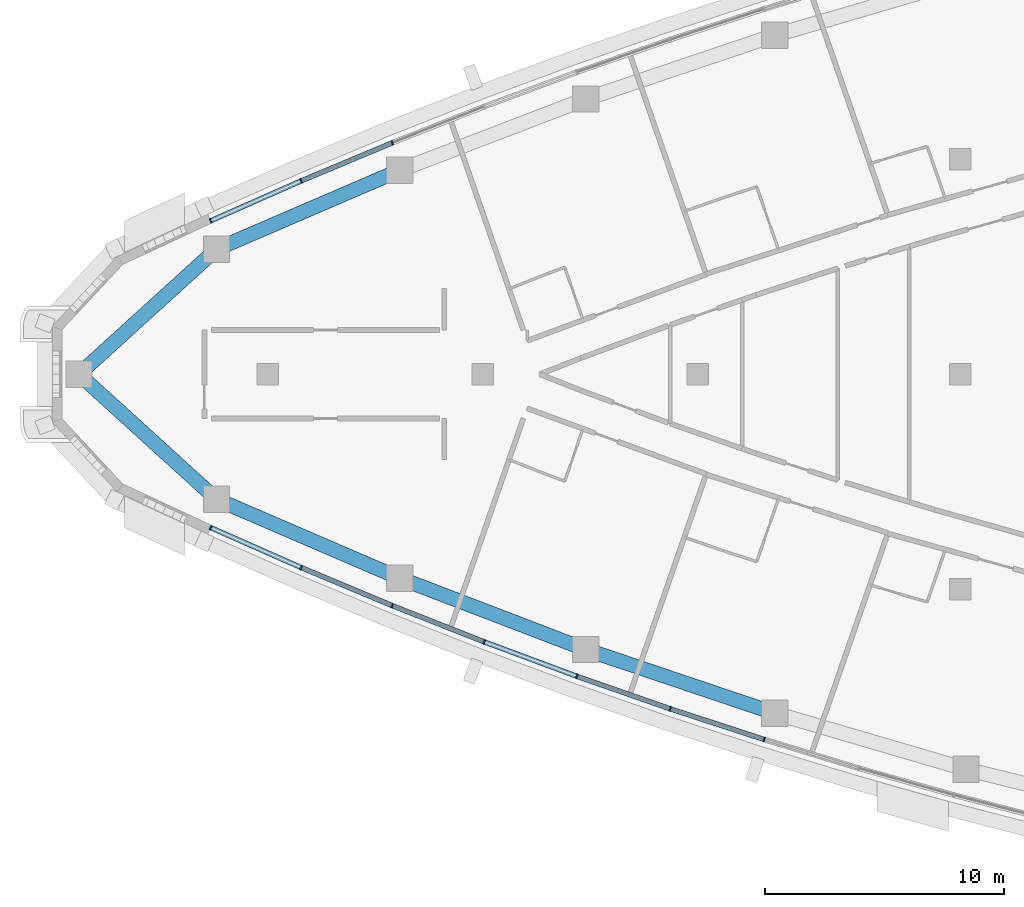
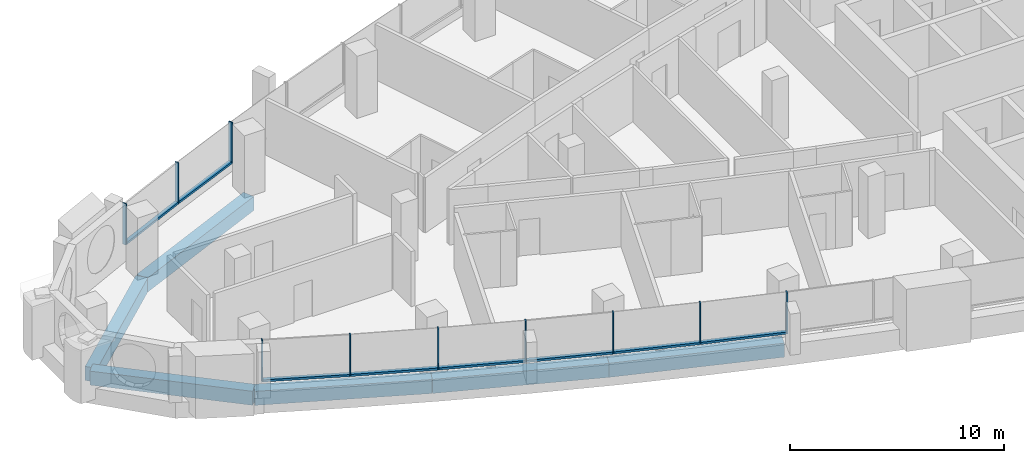
# One storey, part 2 of 14: 18 members, 6 beams, 5 elements without a shape of their own.
"""IFC4 building model written with IfcOpenShell, lengths in metres."""

from ifc_helpers import new_model, si_unit, direction, frame, origin, origin_2d, place, context, subcontext, project, spatial, rectangle, extrude, material, layer, layer_set, material_profile, profile_set, type_object, element, aggregate, save


model = new_model("IFC4")

# Units and contexts
model_context = context("Model", 3, precision=1e-05, world=origin(), true_north=direction((0.0, 1.0)))
body_context = subcontext(model_context, "Body", "Model", "MODEL_VIEW")
ifc_project = project(units=[si_unit("LENGTHUNIT", "METRE"), si_unit("AREAUNIT", "SQUARE_METRE"), si_unit("VOLUMEUNIT", "CUBIC_METRE"), si_unit("PLANEANGLEUNIT", "RADIAN"), si_unit("MASSUNIT", "GRAM", prefix="KILO")], contexts=[model_context])

# Site, building, storey
site_placement = place(None, origin())
site = spatial("IfcSite", under=ifc_project, at=site_placement, CompositionType="ELEMENT")
building_placement = place(site_placement, origin())
building = spatial("IfcBuilding", under=site, at=building_placement, Name="Ostrand Prow Hotel Tower", CompositionType="ELEMENT")
storey_placement = place(building_placement, frame((0.0, 0.0, 299.85009765625)))
storey = spatial("IfcBuildingStorey", under=building, at=storey_placement, Name="L76", CompositionType="ELEMENT", Elevation=299.85009765625)

# Beams
ifc_material_1 = material(Name="Concrete C50/60", Category="concrete")
ifc_material_profile_1 = material_profile(ifc_material_1, rectangle(XDim=0.60009765625, YDim=0.800048828125, at=origin_2d()), Name="RC 600x800")
ifc_profile_set_1 = profile_set([ifc_material_profile_1], Name="Concrete C50/60")
beam_type = type_object("IfcBeamType", Name="Edge beam 600x800 C50/60", PredefinedType="SPANDREL", material=ifc_profile_set_1)
beam_1_placement = place(storey_placement, frame((8.082763671875, 0.0, -0.7001953125), z_axis=(0.740124460758, -0.672469912032, 0.0), x_axis=(0.672469912032, 0.740124460758, 0.0)))
element("IfcBeam", 1, at=beam_1_placement, inside=storey, type_object=beam_type, Name="Edge beam P-S1", PredefinedType="SPANDREL", context=body_context, shape_type="SweptSolid", body=[
    extrude(rectangle(XDim=0.60009765625, YDim=0.800048828125, at=origin_2d()), origin(), (0.0, 0.0, 1.0), 7.787353515625),
])
for number, where, z_axis, x_axis, name in (
    (2, (13.846435546875, -5.23681640625, -0.7001953125), (0.918403788687, -0.39564438695, 0.0), (0.39564438695, 0.918403788687, 0.0), "Edge beam S1-S2"),
    (3, (21.51416015625, -8.5400390625, -0.7001953125), (0.933761753797, -0.357895218111, 0.0), (0.357895218111, 0.933761753797, 0.0), "Edge beam S2-S3"),
    (4, (29.31005859375, -11.528076171875, -0.7001953125), (0.947575089419, -0.319533174981, 0.0), (0.319533174981, 0.947575089419, 0.0), "Edge beam S3-S4"),
    (5, (21.51416015625, 8.5400390625, -0.7001953125), (-0.918403788687, -0.39564438695, 0.0), (0.39564438695, -0.918403788687, 0.0), "Edge beam N5-N6"),
):
    element("IfcBeam", number, at=place(storey_placement, frame(where, z_axis=z_axis, x_axis=x_axis)), inside=storey, type_object=beam_type, Name=name, PredefinedType="SPANDREL", context=body_context, shape_type="SweptSolid", body=[
        extrude(rectangle(XDim=0.60009765625, YDim=0.800048828125, at=origin_2d()), origin(), (0.0, 0.0, 1.0), 8.348876953125),
    ])
beam_2_placement = place(storey_placement, frame((13.846435546875, 5.23681640625, -0.7001953125), z_axis=(-0.740124460758, -0.672469912032, 0.0), x_axis=(0.672469912032, -0.740124460758, 0.0)))
element("IfcBeam", 6, at=beam_2_placement, inside=storey, type_object=beam_type, Name="Edge beam N6-P", PredefinedType="SPANDREL", context=body_context, shape_type="SweptSolid", body=[
    extrude(rectangle(XDim=0.60009765625, YDim=0.800048828125, at=origin_2d()), origin(), (0.0, 0.0, 1.0), 7.787353515625),
])

# Curtain wall, members
ifc_material_2 = material(Name="Insulated glass in bronze anodised frame", Category="glass")
ifc_layer = layer(ifc_material_2, 0.199951171875)
ifc_layer_set = layer_set([ifc_layer], Name="Insulated glass in bronze anodised frame")
curtain_wall_type = type_object("IfcCurtainWallType", Name="Strip curtain wall, fritted glass over bronze spandrel", PredefinedType="NOTDEFINED", material=ifc_layer_set)
curtain_wall_1_placement = place(storey_placement, origin())
curtain_wall_1 = element("IfcCurtainWall", 7, at=curtain_wall_1_placement, inside=storey, type_object=curtain_wall_type, Name="CW1 run CWS1", PredefinedType="NOTDEFINED")
ifc_material_3 = material(Name="Bronze anodised aluminium", Category="aluminium")
ifc_material_profile_2 = material_profile(ifc_material_3, rectangle(XDim=0.199951171875, YDim=0.06005859375, at=origin_2d()), Name="Mullion 60x200 bronze anodised aluminium")
ifc_profile_set_2 = profile_set([ifc_material_profile_2], Name="Bronze anodised aluminium")
member_type_1 = type_object("IfcMemberType", Name="Mullion 60x200 bronze anodised aluminium", PredefinedType="MULLION", material=ifc_profile_set_2)
member_1_placement = place(storey_placement, frame((13.60009765625, -6.423583984375, 0.89990234375), z_axis=(0.0, 0.0, 1.0), x_axis=(0.403939694592, 0.914785615941, 0.0)))
member_1 = element("IfcMember", 8, at=member_1_placement, type_object=member_type_1, Name="CW1 mullion 1", PredefinedType="MULLION", context=body_context, shape_type="SweptSolid", body=[
    extrude(rectangle(XDim=0.199951171875, YDim=0.06005859375, at=origin_2d()), origin(), (0.0, 0.0, 1.0), 2.35009765625),
])
member_2_placement = place(storey_placement, frame((17.386962890625, -8.095947265625, 0.89990234375), z_axis=(0.0, 0.0, 1.0), x_axis=(0.385471263659, 0.922719840955, 0.0)))
member_2 = element("IfcMember", 9, at=member_2_placement, type_object=member_type_1, Name="CW1 mullion 2", PredefinedType="MULLION", context=body_context, shape_type="SweptSolid", body=[
    extrude(rectangle(XDim=0.199951171875, YDim=0.06005859375, at=origin_2d()), origin(), (0.0, 0.0, 1.0), 2.35009765625),
])
member_3_placement = place(storey_placement, frame((21.206787109375, -9.691650390625, 0.89990234375), z_axis=(0.0, 0.0, 1.0), x_axis=(0.385471263659, 0.922719840955, 0.0)))
member_3 = element("IfcMember", 10, at=member_3_placement, type_object=member_type_1, Name="CW1 mullion 3", PredefinedType="MULLION", context=body_context, shape_type="SweptSolid", body=[
    extrude(rectangle(XDim=0.199951171875, YDim=0.06005859375, at=origin_2d()), origin(), (0.0, 0.0, 1.0), 2.35009765625),
])

curtain_wall_2_placement = place(storey_placement, origin())
curtain_wall_2 = element("IfcCurtainWall", 11, at=curtain_wall_2_placement, inside=storey, type_object=curtain_wall_type, Name="CW1 run CWS2", PredefinedType="NOTDEFINED")
member_4_placement = place(storey_placement, frame((25.05810546875, -11.210205078125, 0.89990234375), z_axis=(0.0, 0.0, 1.0), x_axis=(0.348071422738, 0.937468017947, 0.0)))
member_4 = element("IfcMember", 12, at=member_4_placement, type_object=member_type_1, Name="CW1 mullion 2", PredefinedType="MULLION", context=body_context, shape_type="SweptSolid", body=[
    extrude(rectangle(XDim=0.199951171875, YDim=0.06005859375, at=origin_2d()), origin(), (0.0, 0.0, 1.0), 2.35009765625),
])
member_5_placement = place(storey_placement, frame((28.93896484375, -12.6513671875, 0.89990234375), z_axis=(0.0, 0.0, 1.0), x_axis=(0.348071422738, 0.937468017947, 0.0)))
member_5 = element("IfcMember", 13, at=member_5_placement, type_object=member_type_1, Name="CW1 mullion 3", PredefinedType="MULLION", context=body_context, shape_type="SweptSolid", body=[
    extrude(rectangle(XDim=0.199951171875, YDim=0.06005859375, at=origin_2d()), origin(), (0.0, 0.0, 1.0), 2.35009765625),
])

curtain_wall_3_placement = place(storey_placement, origin())
curtain_wall_3 = element("IfcCurtainWall", 14, at=curtain_wall_3_placement, inside=storey, type_object=curtain_wall_type, Name="CW1 run CWS3", PredefinedType="NOTDEFINED")
member_6_placement = place(storey_placement, frame((32.84814453125, -14.013916015625, 0.89990234375), z_axis=(0.0, 0.0, 1.0), x_axis=(0.310110668289, 0.950700464612, 0.0)))
member_6 = element("IfcMember", 15, at=member_6_placement, type_object=member_type_1, Name="CW1 mullion 2", PredefinedType="MULLION", context=body_context, shape_type="SweptSolid", body=[
    extrude(rectangle(XDim=0.199951171875, YDim=0.06005859375, at=origin_2d()), origin(), (0.0, 0.0, 1.0), 2.35009765625),
])
member_7_placement = place(storey_placement, frame((36.78369140625, -15.297607421875, 0.89990234375), z_axis=(0.0, 0.0, 1.0), x_axis=(0.310110668289, 0.950700464612, 0.0)))
member_7 = element("IfcMember", 16, at=member_7_placement, type_object=member_type_1, Name="CW1 mullion 3", PredefinedType="MULLION", context=body_context, shape_type="SweptSolid", body=[
    extrude(rectangle(XDim=0.199951171875, YDim=0.06005859375, at=origin_2d()), origin(), (0.0, 0.0, 1.0), 2.35009765625),
])

# Curtain wall, member
curtain_wall_4_placement = place(storey_placement, origin())
curtain_wall_4 = element("IfcCurtainWall", 17, at=curtain_wall_4_placement, inside=storey, type_object=curtain_wall_type, Name="CW1 run CWN4", PredefinedType="NOTDEFINED")
member_8_placement = place(storey_placement, frame((21.206787109375, 9.691650390625, 0.89990234375), z_axis=(0.0, 0.0, 1.0), x_axis=(0.366845465248, -0.930281895249, 0.0)))
member_8 = element("IfcMember", 18, at=member_8_placement, type_object=member_type_1, Name="CW1 mullion 3", PredefinedType="MULLION", context=body_context, shape_type="SweptSolid", body=[
    extrude(rectangle(XDim=0.199951171875, YDim=0.06005859375, at=origin_2d()), origin(), (0.0, 0.0, 1.0), 2.35009765625),
])
aggregate(curtain_wall_4, [member_8])

# Curtain wall, members
curtain_wall_5_placement = place(storey_placement, origin())
curtain_wall_5 = element("IfcCurtainWall", 19, at=curtain_wall_5_placement, inside=storey, type_object=curtain_wall_type, Name="CW1 run CWN5", PredefinedType="NOTDEFINED")
member_9_placement = place(storey_placement, frame((17.386962890625, 8.095947265625, 0.89990234375), z_axis=(0.0, 0.0, 1.0), x_axis=(0.403939694592, -0.914785615941, 0.0)))
member_9 = element("IfcMember", 20, at=member_9_placement, type_object=member_type_1, Name="CW1 mullion 2", PredefinedType="MULLION", context=body_context, shape_type="SweptSolid", body=[
    extrude(rectangle(XDim=0.199951171875, YDim=0.06005859375, at=origin_2d()), origin(), (0.0, 0.0, 1.0), 2.35009765625),
])
member_10_placement = place(storey_placement, frame((13.60009765625, 6.423583984375, 0.89990234375), z_axis=(0.0, 0.0, 1.0), x_axis=(0.403939694592, -0.914785615941, 0.0)))
member_10 = element("IfcMember", 21, at=member_10_placement, type_object=member_type_1, Name="CW1 mullion 3", PredefinedType="MULLION", context=body_context, shape_type="SweptSolid", body=[
    extrude(rectangle(XDim=0.199951171875, YDim=0.06005859375, at=origin_2d()), origin(), (0.0, 0.0, 1.0), 2.35009765625),
])

# Member
ifc_material_4 = material(Name="Bronze anodised aluminium", Category="aluminium")
ifc_material_profile_3 = material_profile(ifc_material_4, rectangle(XDim=0.199951171875, YDim=0.1201171875, at=origin_2d()), Name="Transom 120x200 bronze anodised aluminium")
ifc_profile_set_3 = profile_set([ifc_material_profile_3], Name="Bronze anodised aluminium")
member_type_2 = type_object("IfcMemberType", Name="Transom 120x200 bronze anodised aluminium", PredefinedType="USERDEFINED", material=ifc_profile_set_3)
member_11_placement = place(storey_placement, frame((13.62744140625, -6.435791015625, 0.9599609375), z_axis=(0.914791011182, -0.403927475991, 0.0), x_axis=(0.403927475991, 0.914791011182, 0.0)))
member_11 = element("IfcMember", 22, at=member_11_placement, type_object=member_type_2, Name="CW1 transom 1.1", ObjectType="TRANSOM", PredefinedType="USERDEFINED", context=body_context, shape_type="SweptSolid", body=[
    extrude(rectangle(XDim=0.199951171875, YDim=0.1201171875, at=origin_2d()), origin(), (0.0, 0.0, 1.0), 4.079833984375),
])

member_12_placement = place(storey_placement, frame((17.414794921875, -8.107421875, 0.9599609375), z_axis=(0.922706465875, -0.385503278628, 0.0), x_axis=(0.385503278628, 0.922706465875, 0.0)))
member_12 = element("IfcMember", 23, at=member_12_placement, type_object=member_type_2, Name="CW1 transom 2.1", ObjectType="TRANSOM", PredefinedType="USERDEFINED", context=body_context, shape_type="SweptSolid", body=[
    extrude(rectangle(XDim=0.199951171875, YDim=0.1201171875, at=origin_2d()), origin(), (0.0, 0.0, 1.0), 4.079833984375),
])

aggregate(curtain_wall_1, [member_1, member_2, member_3, member_11, member_12])

member_13_placement = place(storey_placement, frame((21.23486328125, -9.70263671875, 0.9599609375), z_axis=(0.930289613186, -0.366825892759, 0.0), x_axis=(0.366825892759, 0.930289613186, 0.0)))
member_13 = element("IfcMember", 24, at=member_13_placement, type_object=member_type_2, Name="CW1 transom 1.1", ObjectType="TRANSOM", PredefinedType="USERDEFINED", context=body_context, shape_type="SweptSolid", body=[
    extrude(rectangle(XDim=0.199951171875, YDim=0.1201171875, at=origin_2d()), origin(), (0.0, 0.0, 1.0), 4.079833984375),
])

member_14_placement = place(storey_placement, frame((25.086181640625, -11.220703125, 0.9599609375), z_axis=(0.937460424566, -0.348091873465, 0.0), x_axis=(0.348091873465, 0.937460424566, 0.0)))
member_14 = element("IfcMember", 25, at=member_14_placement, type_object=member_type_2, Name="CW1 transom 2.1", ObjectType="TRANSOM", PredefinedType="USERDEFINED", context=body_context, shape_type="SweptSolid", body=[
    extrude(rectangle(XDim=0.199951171875, YDim=0.1201171875, at=origin_2d()), origin(), (0.0, 0.0, 1.0), 4.079833984375),
])

aggregate(curtain_wall_2, [member_4, member_5, member_13, member_14])

member_15_placement = place(storey_placement, frame((28.96728515625, -12.6611328125, 0.9599609375), z_axis=(0.944268108385, -0.329177367822, 0.0), x_axis=(0.329177367822, 0.944268108385, 0.0)))
member_15 = element("IfcMember", 26, at=member_15_placement, type_object=member_type_2, Name="CW1 transom 1.1", ObjectType="TRANSOM", PredefinedType="USERDEFINED", context=body_context, shape_type="SweptSolid", body=[
    extrude(rectangle(XDim=0.199951171875, YDim=0.1201171875, at=origin_2d()), origin(), (0.0, 0.0, 1.0), 4.079833984375),
])

member_16_placement = place(storey_placement, frame((32.876708984375, -14.023193359375, 0.9599609375), z_axis=(0.950704145978, -0.310099382165, 0.0), x_axis=(0.310099382165, 0.950704145978, 0.0)))
member_16 = element("IfcMember", 27, at=member_16_placement, type_object=member_type_2, Name="CW1 transom 2.1", ObjectType="TRANSOM", PredefinedType="USERDEFINED", context=body_context, shape_type="SweptSolid", body=[
    extrude(rectangle(XDim=0.199951171875, YDim=0.1201171875, at=origin_2d()), origin(), (0.0, 0.0, 1.0), 4.079833984375),
])

aggregate(curtain_wall_3, [member_6, member_7, member_15, member_16])

member_17_placement = place(storey_placement, frame((21.17919921875, 9.68017578125, 0.9599609375), z_axis=(-0.922706465875, -0.385503278628, 0.0), x_axis=(0.385503278628, -0.922706465875, 0.0)))
member_17 = element("IfcMember", 28, at=member_17_placement, type_object=member_type_2, Name="CW1 transom 1.1", ObjectType="TRANSOM", PredefinedType="USERDEFINED", context=body_context, shape_type="SweptSolid", body=[
    extrude(rectangle(XDim=0.199951171875, YDim=0.1201171875, at=origin_2d()), origin(), (0.0, 0.0, 1.0), 4.079833984375),
])

member_18_placement = place(storey_placement, frame((17.359619140625, 8.083740234375, 0.9599609375), z_axis=(-0.914791011182, -0.403927475991, 0.0), x_axis=(0.403927475991, -0.914791011182, 0.0)))
member_18 = element("IfcMember", 29, at=member_18_placement, type_object=member_type_2, Name="CW1 transom 2.1", ObjectType="TRANSOM", PredefinedType="USERDEFINED", context=body_context, shape_type="SweptSolid", body=[
    extrude(rectangle(XDim=0.199951171875, YDim=0.1201171875, at=origin_2d()), origin(), (0.0, 0.0, 1.0), 4.079833984375),
])

aggregate(curtain_wall_5, [member_9, member_10, member_17, member_18])

save(model, "model.ifc")
